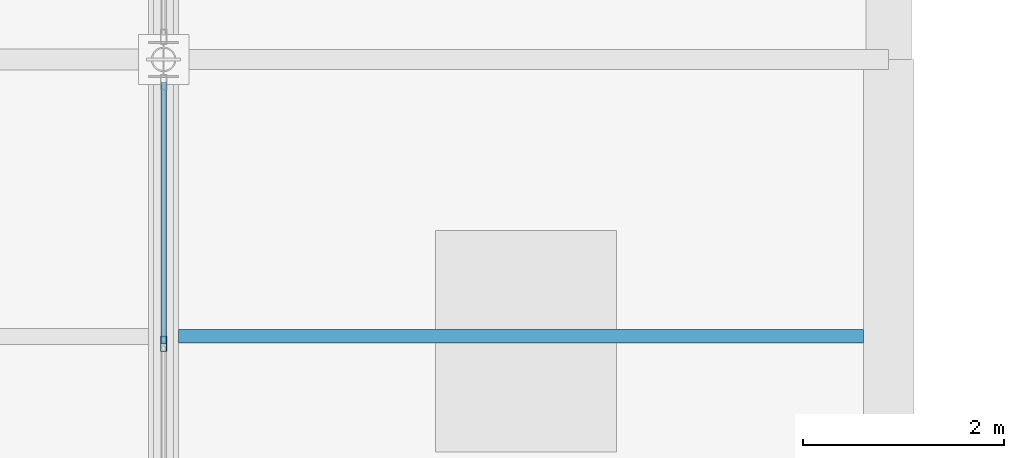
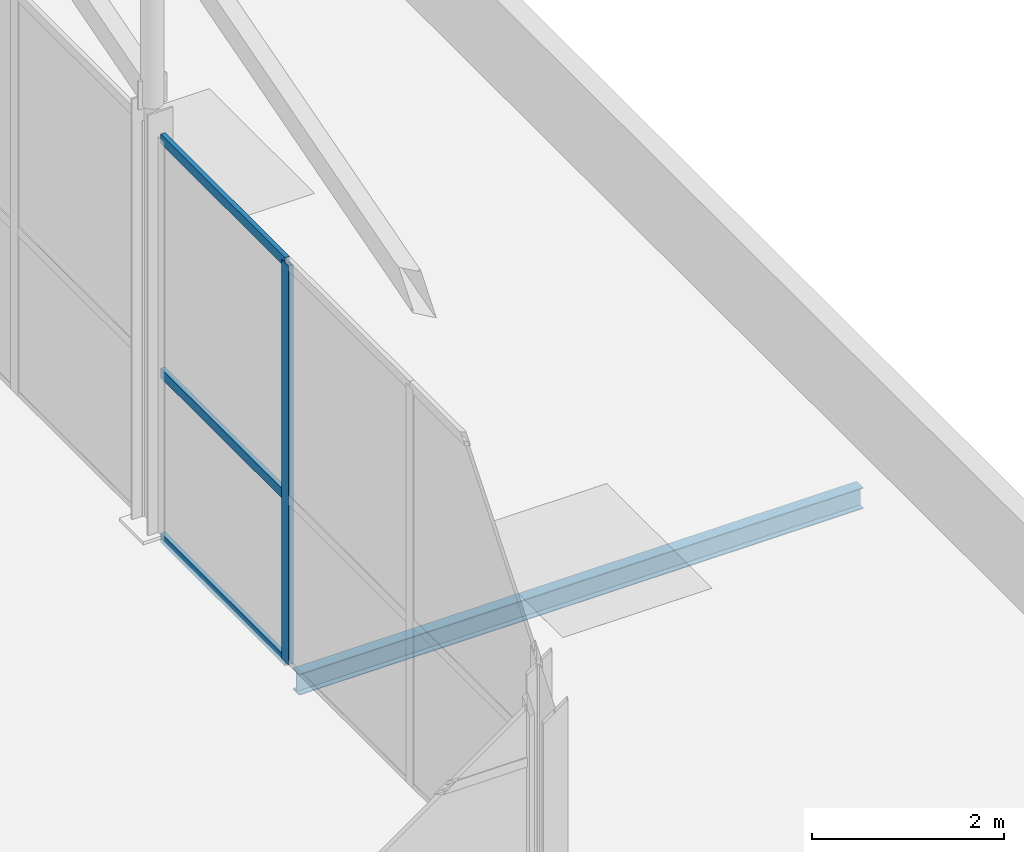
# One storey, part 65 of 141: 4 members, 1 beam, 1 element without a shape of its own.
"""IFC4 building model written with IfcOpenShell, lengths in metres."""

from ifc_helpers import new_model, si_unit, direction, frame, origin, origin_2d, place, context, subcontext, project, spatial, hollow_rectangle, i_section, extrude, material, layer, layer_set, material_profile, profile_set, type_object, element, aggregate, save


model = new_model("IFC4")

# Units and contexts
model_context = context("Model", 3, precision=1e-05, world=origin(), true_north=direction((0.0, 1.0)))
body_context = subcontext(model_context, "Body", "Model", "MODEL_VIEW")
ifc_project = project(units=[si_unit("LENGTHUNIT", "METRE"), si_unit("AREAUNIT", "SQUARE_METRE"), si_unit("VOLUMEUNIT", "CUBIC_METRE"), si_unit("PLANEANGLEUNIT", "RADIAN"), si_unit("MASSUNIT", "GRAM", prefix="KILO")], contexts=[model_context])

# Site, building, storey
site_placement = place(None, origin())
site = spatial("IfcSite", under=ifc_project, at=site_placement, CompositionType="ELEMENT")
building_placement = place(site_placement, origin())
building = spatial("IfcBuilding", under=site, at=building_placement, Name="Sundgate Opera House", CompositionType="ELEMENT")
storey_placement = place(building_placement, frame((0.0, 0.0, 11.39990234375)))
storey = spatial("IfcBuildingStorey", under=building, at=storey_placement, Name="L02", CompositionType="ELEMENT", Elevation=11.39990234375)

# Beam
ifc_material_1 = material(Name="Steel S355J2", Category="steel")
ifc_material_profile_1 = material_profile(ifc_material_1, i_section(OverallWidth=0.135009765625, OverallDepth=0.27001953125, WebThickness=0.006591796875, FlangeThickness=0.01025390625, at=origin_2d()), Name="IPE 270")
ifc_profile_set_1 = profile_set([ifc_material_profile_1], Name="Steel S355J2")
beam_type = type_object("IfcBeamType", Name="BM-JS-IPE270", PredefinedType="JOIST", material=ifc_profile_set_1)
beam_placement = place(storey_placement, frame((153.14990234375, 13.75, -0.364990234375), z_axis=(1.0, 0.0, 0.0), x_axis=(0.0, 1.0, 0.0)))
element("IfcBeam", 1, at=beam_placement, inside=storey, type_object=beam_type, Name="L02 Secondary Floor Joist B2162", PredefinedType="JOIST", context=body_context, shape_type="SweptSolid", body=[
    extrude(i_section(OverallWidth=0.135009765625, OverallDepth=0.27001953125, WebThickness=0.006591796875, FlangeThickness=0.01025390625, at=origin_2d()), origin(), (0.0, 0.0, 1.0), 6.800048828125),
])

# Curtain wall, members
ifc_material_2 = material(Name="Anodized aluminium and low-iron glass", Category="aluminium")
ifc_layer = layer(ifc_material_2, 0.14990234375)
ifc_layer_set = layer_set([ifc_layer], Name="Anodized aluminium and low-iron glass")
curtain_wall_type = type_object("IfcCurtainWallType", Name="CW-WORKSHOP-DARK", PredefinedType="NOTDEFINED", material=ifc_layer_set)
curtain_wall_placement = place(storey_placement, origin())
curtain_wall = element("IfcCurtainWall", 2, at=curtain_wall_placement, inside=storey, type_object=curtain_wall_type, Name="L02 Curtain Wall CW165", PredefinedType="NOTDEFINED")
ifc_material_3 = material(Name="Anodized aluminium EN AW-6063", Category="aluminium")
ifc_material_profile_2 = material_profile(ifc_material_3, hollow_rectangle(XDim=0.06005859375, YDim=0.14990234375, WallThickness=0.00390625, at=origin_2d()), Name="CWM 150x60x4")
ifc_profile_set_2 = profile_set([ifc_material_profile_2], Name="Anodized aluminium EN AW-6063")
member_type_1 = type_object("IfcMemberType", Name="CWM-ALU-150x60", PredefinedType="MULLION", material=ifc_profile_set_2)
member_1_placement = place(storey_placement, frame((153.0, 13.675048828125, 0.0), z_axis=(0.0, 0.0, 1.0), x_axis=(1.0, 0.0, 0.0)))
member_1 = element("IfcMember", 3, at=member_1_placement, type_object=member_type_1, Name="CW165 Mullion 3", PredefinedType="MULLION", context=body_context, shape_type="SweptSolid", body=[
    extrude(hollow_rectangle(XDim=0.06005859375, YDim=0.14990234375, WallThickness=0.00390625, at=origin_2d()), origin(), (0.0, 0.0, 1.0), 5.085205078125),
])
ifc_material_4 = material(Name="Anodized aluminium EN AW-6063", Category="aluminium")
ifc_material_profile_3 = material_profile(ifc_material_4, hollow_rectangle(XDim=0.054931640625, YDim=0.1201171875, WallThickness=0.00390625, at=origin_2d()), Name="CWT 120x55x4")
ifc_profile_set_3 = profile_set([ifc_material_profile_3], Name="Anodized aluminium EN AW-6063")
member_type_2 = type_object("IfcMemberType", Name="CWT-ALU-120x55", PredefinedType="USERDEFINED", material=ifc_profile_set_3)
member_2_placement = place(storey_placement, frame((153.0, 13.675048828125, 0.0), z_axis=(0.0, 1.0, 0.0), x_axis=(-1.0, 0.0, 0.0)))
member_2 = element("IfcMember", 4, at=member_2_placement, type_object=member_type_2, Name="CW165 Transom 7", ObjectType="TRANSOM", PredefinedType="USERDEFINED", context=body_context, shape_type="SweptSolid", body=[
    extrude(hollow_rectangle(XDim=0.054931640625, YDim=0.1201171875, WallThickness=0.00390625, at=origin_2d()), origin(), (0.0, 0.0, 1.0), 2.599853515625),
])
member_3_placement = place(storey_placement, frame((153.0, 13.675048828125, 2.10009765625), z_axis=(0.0, 1.0, 0.0), x_axis=(-1.0, 0.0, 0.0)))
member_3 = element("IfcMember", 5, at=member_3_placement, type_object=member_type_2, Name="CW165 Transom 8", ObjectType="TRANSOM", PredefinedType="USERDEFINED", context=body_context, shape_type="SweptSolid", body=[
    extrude(hollow_rectangle(XDim=0.054931640625, YDim=0.1201171875, WallThickness=0.00390625, at=origin_2d()), origin(), (0.0, 0.0, 1.0), 2.599853515625),
])
member_4_placement = place(storey_placement, frame((153.0, 13.675048828125, 5.085205078125), z_axis=(0.0, 1.0, 0.0), x_axis=(-1.0, 0.0, 0.0)))
member_4 = element("IfcMember", 6, at=member_4_placement, type_object=member_type_2, Name="CW165 Transom 9", ObjectType="TRANSOM", PredefinedType="USERDEFINED", context=body_context, shape_type="SweptSolid", body=[
    extrude(hollow_rectangle(XDim=0.054931640625, YDim=0.1201171875, WallThickness=0.00390625, at=origin_2d()), origin(), (0.0, 0.0, 1.0), 2.599853515625),
])
aggregate(curtain_wall, [member_1, member_2, member_3, member_4])

save(model, "model.ifc")
